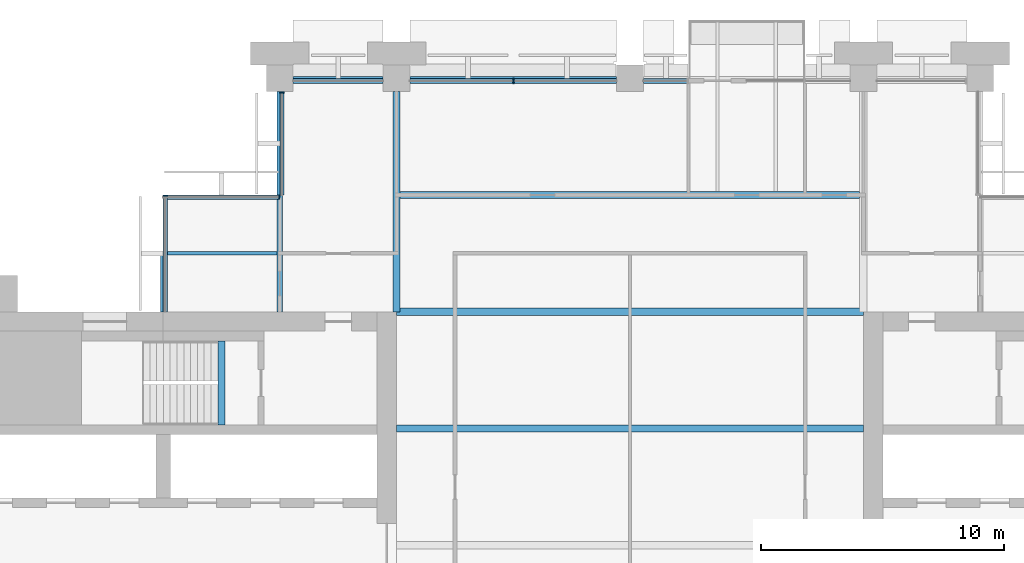
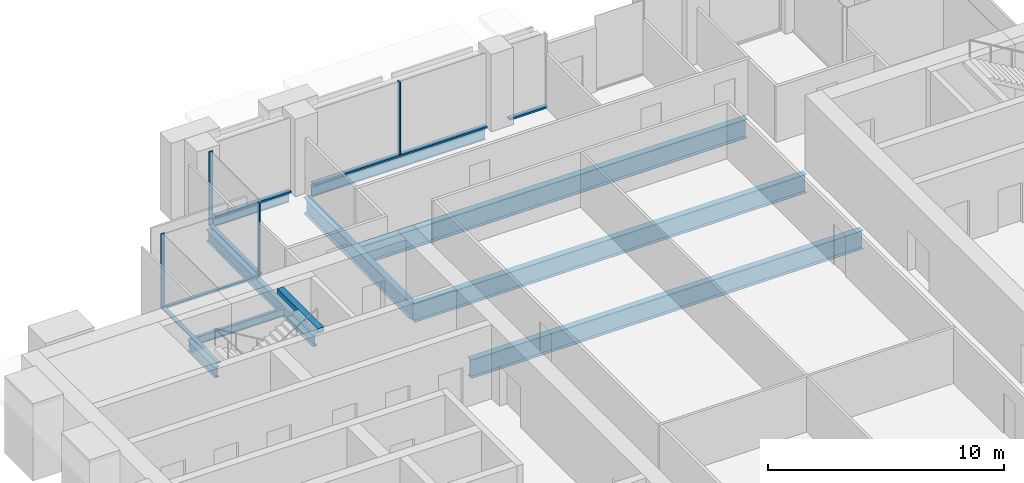
# One storey, part 5 of 14: 10 beams, 10 members, 4 elements without a shape of their own.
"""IFC4 building model written with IfcOpenShell, lengths in metres."""

import ifcopenshell
import ifcopenshell.guid

model = None  # the IFC model being written
_history = None  # IfcOwnerHistory: only IFC2X3 demands one
_inside = {}  # id of a spatial element -> (the spatial element, [elements in it])
_under = {}  # id of a project, library or spatial element -> (it, [spatial elements below it])
_declared = {}  # id of a project -> (the project, [libraries it declares])
_typed = {}  # id of a type object -> (the type object, [elements of that type])
_made_of = {}  # id of a material, layer set ... -> (it, [elements and type objects made of it])


def new_model(schema):
    """Start an empty IFC model of exactly this schema.

    Asked for "IFC4X3", IfcOpenShell would pick the latest addendum, in which some entities
    have other attributes; the version numbers below select the first issue.
    IFC2X3 requires an IfcOwnerHistory on every rooted entity: one is made here for all.
    """
    global model, _history
    if schema == "IFC4X3":
        model = ifcopenshell.file(schema_version=(4, 3, 0, 0))
    else:
        model = ifcopenshell.file(schema=schema)
    _inside.clear()
    _under.clear()
    _declared.clear()
    _typed.clear()
    _made_of.clear()
    _history = None
    if model.schema == "IFC2X3":
        org = make("IfcOrganization", Name="unknown")
        user = make(
            "IfcPersonAndOrganization",
            ThePerson=make("IfcPerson", FamilyName="unknown"),
            TheOrganization=org,
        )
        app = make(
            "IfcApplication",
            ApplicationDeveloper=org,
            Version="unknown",
            ApplicationFullName="unknown",
            ApplicationIdentifier="unknown",
        )
        _history = make(
            "IfcOwnerHistory",
            OwningUser=user,
            OwningApplication=app,
            ChangeAction="ADDED",
            CreationDate=0,
        )
    return model


def make(cls, **values):
    """One entity of the class cls with the attributes given. An attribute that is None is left unset."""
    return model.create_entity(
        cls, **{name: value for name, value in values.items() if value is not None}
    )


def rooted(cls, **values):
    """An entity with a GlobalId (a new one), such as an element, a storey or a relation."""
    return make(cls, GlobalId=ifcopenshell.guid.new(), OwnerHistory=_history, **values)


def si_unit(unit_type, name, prefix=None):
    """IfcSIUnit, for example si_unit("LENGTHUNIT", "METRE", prefix="MILLI")."""
    return make("IfcSIUnit", UnitType=unit_type, Prefix=prefix, Name=name)


def assignment(units):
    """IfcUnitAssignment: the units of a project."""
    return None if units is None else make("IfcUnitAssignment", Units=units)


def point(xyz):
    """IfcCartesianPoint."""
    return None if xyz is None else make("IfcCartesianPoint", Coordinates=xyz)


def direction(xyz):
    """IfcDirection."""
    return None if xyz is None else make("IfcDirection", DirectionRatios=xyz)


def frame(location, z_axis=None, x_axis=None):
    """IfcAxis2Placement3D, a coordinate frame: its origin and axes. An axis left out is left unset."""
    return make(
        "IfcAxis2Placement3D",
        Location=point(location),
        Axis=direction(z_axis),
        RefDirection=direction(x_axis),
    )


def frame_2d(location, x_axis=None):
    """IfcAxis2Placement2D, a coordinate frame in the plane: its origin and x axis."""
    return make(
        "IfcAxis2Placement2D", Location=point(location), RefDirection=direction(x_axis)
    )


def origin():
    """The frame at (0, 0, 0) with its axes left unset."""
    return frame((0.0, 0.0, 0.0))


def origin_2d():
    """The frame at (0, 0) in the plane with its x axis left unset."""
    return frame_2d((0.0, 0.0))


def place(relative_to, where):
    """IfcLocalPlacement: puts the frame where relative to a parent placement (None: the world)."""
    return make(
        "IfcLocalPlacement", PlacementRelTo=relative_to, RelativePlacement=where
    )


def context(
    kind, dimensions, precision=None, world=None, true_north=None, identifier=None
):
    """IfcGeometricRepresentationContext, for example the 3D "Model" context."""
    return make(
        "IfcGeometricRepresentationContext",
        ContextIdentifier=identifier,
        ContextType=kind,
        CoordinateSpaceDimension=dimensions,
        Precision=precision,
        WorldCoordinateSystem=world,
        TrueNorth=true_north,
    )


def subcontext(parent, identifier, kind, view, scale=None):
    """IfcGeometricRepresentationSubContext, for example "Body" below "Model"."""
    return make(
        "IfcGeometricRepresentationSubContext",
        ContextIdentifier=identifier,
        ContextType=kind,
        ParentContext=parent,
        TargetScale=scale,
        TargetView=view,
    )


def project(units=None, contexts=None):
    """IfcProject with its units and contexts."""
    return rooted(
        "IfcProject",
        Name="project",
        RepresentationContexts=contexts,
        UnitsInContext=assignment(units),
    )


def spatial(cls, under=None, at=None, **own):
    """A site, building, storey or space (cls), placed at a placement, below another one or the project."""
    s = rooted(cls, ObjectPlacement=at, **own)
    if under is not None:
        _under.setdefault(under.id(), (under, []))[1].append(s)
    return s


def profile(cls, at=None, kind="AREA", **sizes):
    """A parametric profile (cls). Its sizes go by their IFC names, for example OverallWidth=200.0."""
    return make(cls, ProfileType=kind, Position=at, **sizes)


def rectangle(**sizes):
    """IfcRectangleProfileDef."""
    return profile("IfcRectangleProfileDef", **sizes)


def i_section(**sizes):
    """IfcIShapeProfileDef."""
    return profile("IfcIShapeProfileDef", **sizes)


def extrude(swept, where, along, depth):
    """IfcExtrudedAreaSolid: the profile swept, set in the frame where, extruded along a direction by depth."""
    return make(
        "IfcExtrudedAreaSolid",
        SweptArea=swept,
        Position=where,
        ExtrudedDirection=direction(along),
        Depth=depth,
    )


def shape(context_of_items, identifier, shape_type, items):
    """IfcShapeRepresentation: the items that make up one representation, for example the "Body"."""
    return make(
        "IfcShapeRepresentation",
        ContextOfItems=context_of_items,
        RepresentationIdentifier=identifier,
        RepresentationType=shape_type,
        Items=items,
    )


def material(Name=None, Category=None):
    """IfcMaterial."""
    return make("IfcMaterial", Name=Name, Category=Category)


def material_profile(
    of_material, cross_section, Name=None, Category=None, Priority=None
):
    """IfcMaterialProfile: a cross section and its material."""
    return make(
        "IfcMaterialProfile",
        Name=Name,
        Material=of_material,
        Profile=cross_section,
        Priority=Priority,
        Category=Category,
    )


def profile_set(profiles, Name=None, composite=None):
    """IfcMaterialProfileSet."""
    return make(
        "IfcMaterialProfileSet",
        Name=Name,
        MaterialProfiles=profiles,
        CompositeProfile=composite,
    )


def made_of(thing, what):
    """Note that an element or type object is made of a material, layer set ...; save() writes the relation."""
    if what is not None:
        _made_of.setdefault(what.id(), (what, []))[1].append(thing)
    return thing


def type_object(cls, material=None, **own):
    """A type object (cls), such as IfcWallType, which elements share."""
    return made_of(rooted(cls, **own), material)


def element(
    cls,
    number,
    at=None,
    inside=None,
    cuts=None,
    type_object=None,
    material=None,
    context=None,
    identifier="Body",
    shape_type=None,
    held_by="IfcProductDefinitionShape",
    body=None,
    shapes=None,
    **own,
):
    """One element of the class cls, such as IfcWall. Its Tag is "e" and its number.

    at: its placement. inside: the storey or other place that contains it. cuts: it is an
    opening in that element (IfcRelVoidsElement). A single representation is given by context,
    identifier, shape_type and body (its items); several are given by shapes. held_by: the class
    of the entity that holds the representations. save() writes the other relations.
    """
    e = rooted(cls, Tag="e%d" % number, ObjectPlacement=at, **own)
    if body is not None:
        shapes = [shape(context, identifier, shape_type, body)]
    if shapes is not None:
        e.Representation = make(held_by, Representations=shapes)
    if inside is not None:
        _inside.setdefault(inside.id(), (inside, []))[1].append(e)
    if cuts is not None:
        rooted(
            "IfcRelVoidsElement", RelatingBuildingElement=cuts, RelatedOpeningElement=e
        )
    if type_object is not None:
        _typed.setdefault(type_object.id(), (type_object, []))[1].append(e)
    return made_of(e, material)


def aggregate(whole, parts):
    """IfcRelAggregates: a whole, such as a stair, and the parts it consists of."""
    return rooted("IfcRelAggregates", RelatingObject=whole, RelatedObjects=parts)


def save(model, path):
    """Write the relations noted so far, then the file.

    IfcRelAggregates (storeys below a building ...), IfcRelContainedInSpatialStructure (elements
    in a storey), IfcRelDefinesByType, IfcRelAssociatesMaterial and IfcRelDeclares: one each for
    every whole, place, type object, material and project.
    """
    for whole, parts in _under.values():
        aggregate(whole, parts)
    for where, things in _inside.values():
        rooted(
            "IfcRelContainedInSpatialStructure",
            RelatedElements=things,
            RelatingStructure=where,
        )
    for kind, things in _typed.values():
        rooted("IfcRelDefinesByType", RelatedObjects=things, RelatingType=kind)
    for what, things in _made_of.values():
        rooted("IfcRelAssociatesMaterial", RelatedObjects=things, RelatingMaterial=what)
    for by, libraries in _declared.values():
        rooted("IfcRelDeclares", RelatingContext=by, RelatedDefinitions=libraries)
    model.write(path)


model = new_model("IFC4")

# Units and contexts
model_context = context("Model", 3, precision=1e-05, world=origin(), true_north=direction((0.0, 1.0)))
body_context = subcontext(model_context, "Body", "Model", "MODEL_VIEW")
ifc_project = project(units=[si_unit("LENGTHUNIT", "METRE"), si_unit("AREAUNIT", "SQUARE_METRE"), si_unit("VOLUMEUNIT", "CUBIC_METRE"), si_unit("PLANEANGLEUNIT", "RADIAN"), si_unit("MASSUNIT", "GRAM", prefix="KILO")], contexts=[model_context])

# Site, building, storey
site_placement = place(None, origin())
site = spatial("IfcSite", under=ifc_project, at=site_placement, CompositionType="ELEMENT")
building_placement = place(site_placement, origin())
building = spatial("IfcBuilding", under=site, at=building_placement, Name="Baori Bourse Tower", CompositionType="ELEMENT")
storey_placement = place(building_placement, frame((0.0, 0.0, 197.199951171875)))
storey = spatial("IfcBuildingStorey", under=building, at=storey_placement, Name="L42", CompositionType="ELEMENT", Elevation=197.199951171875)

# Curtain wall, member
ifc_material_1 = material(Name="Pale anodised aluminium", Category="aluminium")
curtain_wall_type_1 = type_object("IfcCurtainWallType", Name="CW2 Curtain wall", PredefinedType="NOTDEFINED", material=ifc_material_1)
curtain_wall_1_placement = place(storey_placement, origin())
curtain_wall_1 = element("IfcCurtainWall", 1, at=curtain_wall_1_placement, inside=storey, type_object=curtain_wall_type_1, Name="Curtain wall CW2 L42 7", PredefinedType="NOTDEFINED")
ifc_material_2 = material(Name="Pale anodised aluminium", Category="aluminium")
ifc_material_profile_1 = material_profile(ifc_material_2, rectangle(XDim=0.179931640625, YDim=0.054931640625, at=origin_2d()), Name="Mullion 55x180")
ifc_profile_set_1 = profile_set([ifc_material_profile_1], Name="Pale anodised aluminium")
member_type_1 = type_object("IfcMemberType", Name="CW2 Curtain wall mullion", PredefinedType="MULLION", material=ifc_profile_set_1)
member_1_placement = place(storey_placement, frame((14.489990234375, 47.422607421875, 0.070068359375), z_axis=(0.0, 0.0, 1.0), x_axis=(1.0, 0.0, 0.0)))
member_1 = element("IfcMember", 2, at=member_1_placement, type_object=member_type_1, Name="Curtain wall CW2 mullion", PredefinedType="MULLION", context=body_context, shape_type="SweptSolid", body=[
    extrude(rectangle(XDim=0.179931640625, YDim=0.054931640625, at=origin_2d()), origin(), (0.0, 0.0, 1.0), 3.77001953125),
])

curtain_wall_2_placement = place(storey_placement, origin())
curtain_wall_2 = element("IfcCurtainWall", 3, at=curtain_wall_2_placement, inside=storey, type_object=curtain_wall_type_1, Name="Curtain wall CW2 L42 8", PredefinedType="NOTDEFINED")
member_2_placement = place(storey_placement, frame((14.37255859375, 43.110107421875, 0.070068359375), z_axis=(0.0, 0.0, 1.0), x_axis=(0.0, -1.0, 0.0)))
member_2 = element("IfcMember", 4, at=member_2_placement, type_object=member_type_1, Name="Curtain wall CW2 mullion", PredefinedType="MULLION", context=body_context, shape_type="SweptSolid", body=[
    extrude(rectangle(XDim=0.179931640625, YDim=0.054931640625, at=origin_2d()), origin(), (0.0, 0.0, 1.0), 3.77001953125),
])

curtain_wall_3_placement = place(storey_placement, origin())
curtain_wall_3 = element("IfcCurtainWall", 5, at=curtain_wall_3_placement, inside=storey, type_object=curtain_wall_type_1, Name="Curtain wall CW2 L42 9", PredefinedType="NOTDEFINED")
member_3_placement = place(storey_placement, frame((9.68994140625, 43.172607421875, 0.070068359375), z_axis=(0.0, 0.0, 1.0), x_axis=(1.0, 0.0, 0.0)))
member_3 = element("IfcMember", 6, at=member_3_placement, type_object=member_type_1, Name="Curtain wall CW2 mullion", PredefinedType="MULLION", context=body_context, shape_type="SweptSolid", body=[
    extrude(rectangle(XDim=0.179931640625, YDim=0.054931640625, at=origin_2d()), origin(), (0.0, 0.0, 1.0), 3.77001953125),
])

# Member
ifc_material_3 = material(Name="Pale anodised aluminium", Category="aluminium")
ifc_material_profile_2 = material_profile(ifc_material_3, rectangle(XDim=0.179931640625, YDim=0.070068359375, at=origin_2d()), Name="Transom 70x180")
ifc_profile_set_2 = profile_set([ifc_material_profile_2], Name="Pale anodised aluminium")
member_type_2 = type_object("IfcMemberType", Name="CW2 Curtain wall transom", PredefinedType="USERDEFINED", material=ifc_profile_set_2)
member_4_placement = place(storey_placement, frame((14.489990234375, 47.449951171875, 0.03515625), z_axis=(0.0, -1.0, 0.0), x_axis=(1.0, 0.0, 0.0)))
member_4 = element("IfcMember", 7, at=member_4_placement, type_object=member_type_2, Name="Curtain wall CW2 sill rail", ObjectType="TRANSOM", PredefinedType="USERDEFINED", context=body_context, shape_type="SweptSolid", body=[
    extrude(rectangle(XDim=0.179931640625, YDim=0.070068359375, at=origin_2d()), origin(), (0.0, 0.0, 1.0), 4.25),
])

aggregate(curtain_wall_1, [member_4, member_1])

member_5_placement = place(storey_placement, frame((14.39990234375, 43.110107421875, 0.03515625), z_axis=(-1.0, 0.0, 0.0), x_axis=(0.0, -1.0, 0.0)))
member_5 = element("IfcMember", 8, at=member_5_placement, type_object=member_type_2, Name="Curtain wall CW2 sill rail", ObjectType="TRANSOM", PredefinedType="USERDEFINED", context=body_context, shape_type="SweptSolid", body=[
    extrude(rectangle(XDim=0.179931640625, YDim=0.070068359375, at=origin_2d()), origin(), (0.0, 0.0, 1.0), 4.7998046875),
])

aggregate(curtain_wall_2, [member_5, member_2])

member_6_placement = place(storey_placement, frame((9.68994140625, 43.199951171875, 0.03515625), z_axis=(0.0, -1.0, 0.0), x_axis=(1.0, 0.0, 0.0)))
member_6 = element("IfcMember", 9, at=member_6_placement, type_object=member_type_2, Name="Curtain wall CW2 sill rail", ObjectType="TRANSOM", PredefinedType="USERDEFINED", context=body_context, shape_type="SweptSolid", body=[
    extrude(rectangle(XDim=0.179931640625, YDim=0.070068359375, at=origin_2d()), origin(), (0.0, 0.0, 1.0), 4.800048828125),
])

aggregate(curtain_wall_3, [member_6, member_3])

# Curtain wall, members
ifc_material_4 = material(Name="Pale anodised aluminium", Category="aluminium")
curtain_wall_type_2 = type_object("IfcCurtainWallType", Name="CW5 Curtain wall", PredefinedType="NOTDEFINED", material=ifc_material_4)
curtain_wall_4_placement = place(storey_placement, origin())
curtain_wall_4 = element("IfcCurtainWall", 10, at=curtain_wall_4_placement, inside=storey, type_object=curtain_wall_type_2, Name="Curtain wall CW5 L42 6", PredefinedType="NOTDEFINED")
ifc_material_5 = material(Name="Pale anodised aluminium", Category="aluminium")
ifc_material_profile_3 = material_profile(ifc_material_5, rectangle(XDim=0.219970703125, YDim=0.06494140625, at=origin_2d()), Name="Mullion 65x220")
ifc_profile_set_3 = profile_set([ifc_material_profile_3], Name="Pale anodised aluminium")
member_type_3 = type_object("IfcMemberType", Name="CW5 Curtain wall mullion", PredefinedType="MULLION", material=ifc_profile_set_3)
member_7_placement = place(storey_placement, frame((24.0, 47.889892578125, 0.0849609375), z_axis=(0.0, 0.0, 1.0), x_axis=(0.0, -1.0, 0.0)))
member_7 = element("IfcMember", 11, at=member_7_placement, type_object=member_type_3, Name="Curtain wall CW5 mullion", PredefinedType="MULLION", context=body_context, shape_type="SweptSolid", body=[
    extrude(rectangle(XDim=0.219970703125, YDim=0.06494140625, at=origin_2d()), origin(), (0.0, 0.0, 1.0), 3.755126953125),
])
ifc_material_6 = material(Name="Pale anodised aluminium", Category="aluminium")
ifc_material_profile_4 = material_profile(ifc_material_6, rectangle(XDim=0.219970703125, YDim=0.0849609375, at=origin_2d()), Name="Transom 85x220")
ifc_profile_set_4 = profile_set([ifc_material_profile_4], Name="Pale anodised aluminium")
member_type_4 = type_object("IfcMemberType", Name="CW5 Curtain wall transom", PredefinedType="USERDEFINED", material=ifc_profile_set_4)
member_8_placement = place(storey_placement, frame((31.199951171875, 47.889892578125, 0.04248046875), z_axis=(-1.0, 0.0, 0.0), x_axis=(0.0, -1.0, 0.0)))
member_8 = element("IfcMember", 12, at=member_8_placement, type_object=member_type_4, Name="Curtain wall CW5 sill rail", ObjectType="TRANSOM", PredefinedType="USERDEFINED", context=body_context, shape_type="SweptSolid", body=[
    extrude(rectangle(XDim=0.219970703125, YDim=0.0849609375, at=origin_2d()), origin(), (0.0, 0.0, 1.0), 1.849853515625),
])
member_9_placement = place(storey_placement, frame((28.25, 47.889892578125, 0.04248046875), z_axis=(-1.0, 0.0, 0.0), x_axis=(0.0, -1.0, 0.0)))
member_9 = element("IfcMember", 13, at=member_9_placement, type_object=member_type_4, Name="Curtain wall CW5 sill rail", ObjectType="TRANSOM", PredefinedType="USERDEFINED", context=body_context, shape_type="SweptSolid", body=[
    extrude(rectangle(XDim=0.219970703125, YDim=0.0849609375, at=origin_2d()), origin(), (0.0, 0.0, 1.0), 8.5),
])
member_10_placement = place(storey_placement, frame((18.64990234375, 47.889892578125, 0.04248046875), z_axis=(-1.0, 0.0, 0.0), x_axis=(0.0, -1.0, 0.0)))
member_10 = element("IfcMember", 14, at=member_10_placement, type_object=member_type_4, Name="Curtain wall CW5 sill rail", ObjectType="TRANSOM", PredefinedType="USERDEFINED", context=body_context, shape_type="SweptSolid", body=[
    extrude(rectangle(XDim=0.219970703125, YDim=0.0849609375, at=origin_2d()), origin(), (0.0, 0.0, 1.0), 3.699951171875),
])
aggregate(curtain_wall_4, [member_8, member_9, member_7, member_10])

# Beams
ifc_material_7 = material(Name="Steel A992 Gr 50", Category="steel")
ifc_material_profile_5 = material_profile(ifc_material_7, i_section(OverallWidth=0.21240234375, OverallDepth=0.54345703125, WebThickness=0.01318359375, FlangeThickness=0.021240234375, at=origin_2d()), Name="W21x83")
ifc_profile_set_5 = profile_set([ifc_material_profile_5], Name="Steel A992 Gr 50")
beam_type_1 = type_object("IfcBeamType", Name="Core bracket W21x83", PredefinedType="BEAM", material=ifc_profile_set_5)
beam_1_placement = place(storey_placement, frame((9.60009765625, 38.39990234375, -0.431640625), z_axis=(0.0, 1.0, 0.0), x_axis=(-1.0, 0.0, 0.0)))
element("IfcBeam", 15, at=beam_1_placement, inside=storey, type_object=beam_type_1, Name="Core bracket L42", PredefinedType="BEAM", context=body_context, shape_type="SweptSolid", body=[
    extrude(i_section(OverallWidth=0.21240234375, OverallDepth=0.54345703125, WebThickness=0.01318359375, FlangeThickness=0.021240234375, at=origin_2d()), origin(), (0.0, 0.0, 1.0), 2.329833984375),
])
ifc_material_8 = material(Name="Steel A992 Gr 50", Category="steel")
ifc_material_profile_6 = material_profile(ifc_material_8, i_section(OverallWidth=0.140380859375, OverallDepth=0.40380859375, WebThickness=0.007080078125, FlangeThickness=0.01123046875, at=origin_2d()), Name="W16x31")
ifc_profile_set_6 = profile_set([ifc_material_profile_6], Name="Steel A992 Gr 50")
beam_type_2 = type_object("IfcBeamType", Name="Edge beam W16x31", PredefinedType="BEAM", material=ifc_profile_set_6)
beam_2_placement = place(storey_placement, frame((14.949951171875, 48.0, -0.36181640625), z_axis=(1.0, 0.0, 0.0), x_axis=(0.0, 1.0, 0.0)))
element("IfcBeam", 16, at=beam_2_placement, inside=storey, type_object=beam_type_2, Name="Edge beam L42", PredefinedType="BEAM", context=body_context, shape_type="SweptSolid", body=[
    extrude(i_section(OverallWidth=0.140380859375, OverallDepth=0.40380859375, WebThickness=0.007080078125, FlangeThickness=0.01123046875, at=origin_2d()), origin(), (0.0, 0.0, 1.0), 3.699951171875),
])
ifc_material_9 = material(Name="Steel A992 Gr 50", Category="steel")
ifc_material_profile_7 = material_profile(ifc_material_9, i_section(OverallWidth=0.1650390625, OverallDepth=0.52587890625, WebThickness=0.0087890625, FlangeThickness=0.011474609375, at=origin_2d()), Name="W21x44")
ifc_profile_set_7 = profile_set([ifc_material_profile_7], Name="Steel A992 Gr 50")
beam_type_3 = type_object("IfcBeamType", Name="Edge beam W21x44", PredefinedType="BEAM", material=ifc_profile_set_7)
beam_3_placement = place(storey_placement, frame((19.75, 48.0, -0.4228515625), z_axis=(1.0, 0.0, 0.0), x_axis=(0.0, 1.0, 0.0)))
element("IfcBeam", 17, at=beam_3_placement, inside=storey, type_object=beam_type_3, Name="Edge beam L42", PredefinedType="BEAM", context=body_context, shape_type="SweptSolid", body=[
    extrude(i_section(OverallWidth=0.1650390625, OverallDepth=0.52587890625, WebThickness=0.0087890625, FlangeThickness=0.011474609375, at=origin_2d()), origin(), (0.0, 0.0, 1.0), 8.5),
])
ifc_material_10 = material(Name="Steel A992 Gr 50", Category="steel")
ifc_material_profile_8 = material_profile(ifc_material_10, i_section(OverallWidth=0.227783203125, OverallDepth=0.60205078125, WebThickness=0.010498046875, FlangeThickness=0.014892578125, at=origin_2d()), Name="W24x68")
ifc_profile_set_8 = profile_set([ifc_material_profile_8], Name="Steel A992 Gr 50")
beam_type_4 = type_object("IfcBeamType", Name="Floor beam W24x68", PredefinedType="BEAM", material=ifc_profile_set_8)
beam_4_placement = place(storey_placement, frame((14.39990234375, 38.39990234375, -0.4609375), z_axis=(0.0, 1.0, 0.0), x_axis=(-1.0, 0.0, 0.0)))
element("IfcBeam", 18, at=beam_4_placement, inside=storey, type_object=beam_type_4, Name="Floor beam L42", PredefinedType="BEAM", context=body_context, shape_type="SweptSolid", body=[
    extrude(i_section(OverallWidth=0.227783203125, OverallDepth=0.60205078125, WebThickness=0.010498046875, FlangeThickness=0.014892578125, at=origin_2d()), origin(), (0.0, 0.0, 1.0), 9.050048828125),
])
ifc_material_11 = material(Name="Steel A992 Gr 50", Category="steel")
ifc_material_profile_9 = material_profile(ifc_material_11, i_section(OverallWidth=0.2998046875, OverallDepth=0.97021484375, WebThickness=0.01611328125, FlangeThickness=0.02099609375, at=origin_2d()), Name="W40x149")
ifc_profile_set_9 = profile_set([ifc_material_profile_9], Name="Steel A992 Gr 50")
beam_type_5 = type_object("IfcBeamType", Name="Floor beam W40x149", PredefinedType="BEAM", material=ifc_profile_set_9)
for number, where, z_axis, x_axis, name in (
    (19, (19.199951171875, 33.60009765625, -0.64501953125), (1.0, 0.0, 0.0), (0.0, 1.0, 0.0), "Floor beam L42"),
    (20, (19.199951171875, 38.39990234375, -0.64501953125), (1.0, 0.0, 0.0), (0.0, 1.0, 0.0), "Floor beam L42"),
):
    element("IfcBeam", number, at=place(storey_placement, frame(where, z_axis=z_axis, x_axis=x_axis)), inside=storey, type_object=beam_type_5, Name=name, PredefinedType="BEAM", context=body_context, shape_type="SweptSolid", body=[
        extrude(i_section(OverallWidth=0.2998046875, OverallDepth=0.97021484375, WebThickness=0.01611328125, FlangeThickness=0.02099609375, at=origin_2d()), origin(), (0.0, 0.0, 1.0), 19.199951171875),
    ])
ifc_material_12 = material(Name="Steel A992 Gr 50", Category="steel")
ifc_material_profile_10 = material_profile(ifc_material_12, i_section(OverallWidth=0.2998046875, OverallDepth=0.990478515625, WebThickness=0.0166015625, FlangeThickness=0.030517578125, at=origin_2d()), Name="W40x183")
ifc_profile_set_10 = profile_set([ifc_material_profile_10], Name="Steel A992 Gr 50")
beam_type_6 = type_object("IfcBeamType", Name="Floor beam W40x183", PredefinedType="BEAM", material=ifc_profile_set_10)
beam_5_placement = place(storey_placement, frame((19.345947265625, 43.199951171875, -0.6552734375), z_axis=(1.0, 0.0, 0.0), x_axis=(0.0, 1.0, 0.0)))
element("IfcBeam", 21, at=beam_5_placement, inside=storey, type_object=beam_type_6, Name="Floor beam L42", PredefinedType="BEAM", context=body_context, shape_type="SweptSolid", body=[
    extrude(i_section(OverallWidth=0.2998046875, OverallDepth=0.990478515625, WebThickness=0.0166015625, FlangeThickness=0.030517578125, at=origin_2d()), origin(), (0.0, 0.0, 1.0), 18.901611328125),
])
ifc_material_13 = material(Name="Steel A992 Gr 50", Category="steel")
ifc_material_profile_11 = material_profile(ifc_material_13, i_section(OverallWidth=0.2919921875, OverallDepth=0.835693359375, WebThickness=0.013916015625, FlangeThickness=0.018798828125, at=origin_2d()), Name="W33x118")
ifc_profile_set_11 = profile_set([ifc_material_profile_11], Name="Steel A992 Gr 50")
beam_type_7 = type_object("IfcBeamType", Name="Girder W33x118", PredefinedType="BEAM", material=ifc_profile_set_11)
beam_6_placement = place(storey_placement, frame((19.199951171875, 38.39990234375, -0.577880859375), z_axis=(0.0, 1.0, 0.0), x_axis=(-1.0, 0.0, 0.0)))
element("IfcBeam", 22, at=beam_6_placement, inside=storey, type_object=beam_type_7, Name="Girder L42", PredefinedType="BEAM", context=body_context, shape_type="SweptSolid", body=[
    extrude(i_section(OverallWidth=0.2919921875, OverallDepth=0.835693359375, WebThickness=0.013916015625, FlangeThickness=0.018798828125, at=origin_2d()), origin(), (0.0, 0.0, 1.0), 9.050048828125),
])
ifc_material_14 = material(Name="Concrete f'c 50 MPa", Category="concrete")
ifc_material_profile_12 = material_profile(ifc_material_14, rectangle(XDim=0.300048828125, YDim=0.25, at=origin_2d()), Name="RC 300x250")
ifc_profile_set_12 = profile_set([ifc_material_profile_12], Name="Concrete f'c 50 MPa")
beam_type_8 = type_object("IfcBeamType", Name="Stair nib beam RC 300x250", PredefinedType="BEAM", material=ifc_profile_set_12)
beam_7_placement = place(storey_placement, frame((12.0, 33.75, 3.715087890625), z_axis=(0.0, 1.0, 0.0), x_axis=(-1.0, 0.0, 0.0)))
element("IfcBeam", 23, at=beam_7_placement, inside=storey, type_object=beam_type_8, Name="Stair WB nib beam L43", PredefinedType="BEAM", context=body_context, shape_type="SweptSolid", body=[
    extrude(rectangle(XDim=0.300048828125, YDim=0.25, at=origin_2d()), origin(), (0.0, 0.0, 1.0), 3.449951171875),
])
ifc_material_15 = material(Name="Steel A992 Gr 50", Category="steel")
ifc_material_profile_13 = material_profile(ifc_material_15, i_section(OverallWidth=0.140380859375, OverallDepth=0.40380859375, WebThickness=0.007080078125, FlangeThickness=0.01123046875, at=origin_2d()), Name="W16x31")
ifc_profile_set_13 = profile_set([ifc_material_profile_13], Name="Steel A992 Gr 50")
beam_type_9 = type_object("IfcBeamType", Name="Trimmer beam W16x31", PredefinedType="BEAM", material=ifc_profile_set_13)
beam_8_placement = place(storey_placement, frame((9.60009765625, 40.800048828125, -0.36181640625), z_axis=(1.0, 0.0, 0.0), x_axis=(0.0, 1.0, 0.0)))
element("IfcBeam", 24, at=beam_8_placement, inside=storey, type_object=beam_type_9, Name="Trimmer beam L42", PredefinedType="BEAM", context=body_context, shape_type="SweptSolid", body=[
    extrude(i_section(OverallWidth=0.140380859375, OverallDepth=0.40380859375, WebThickness=0.007080078125, FlangeThickness=0.01123046875, at=origin_2d()), origin(), (0.0, 0.0, 1.0), 4.68603515625),
])

save(model, "model.ifc")
